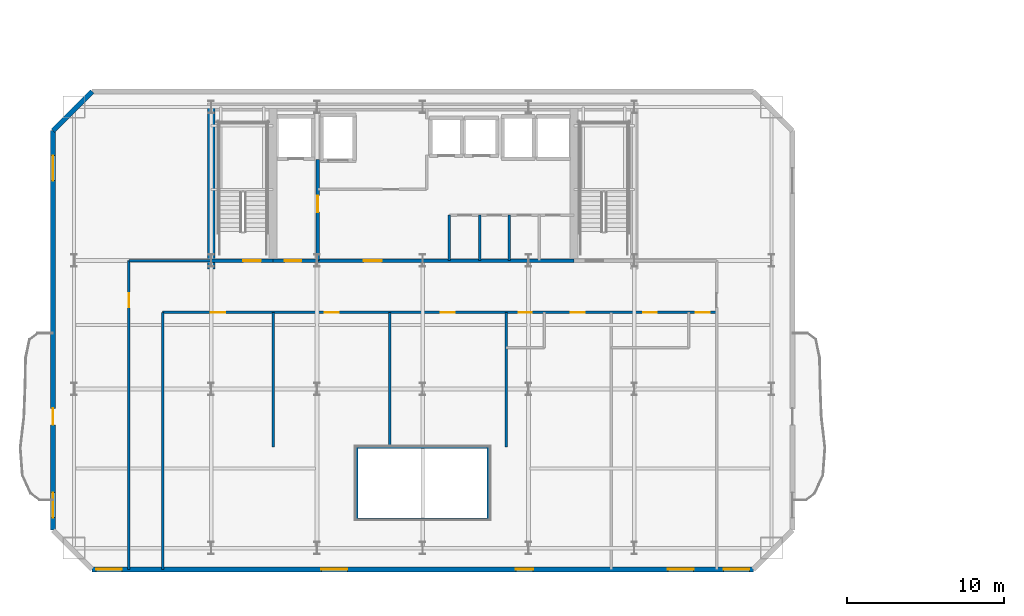
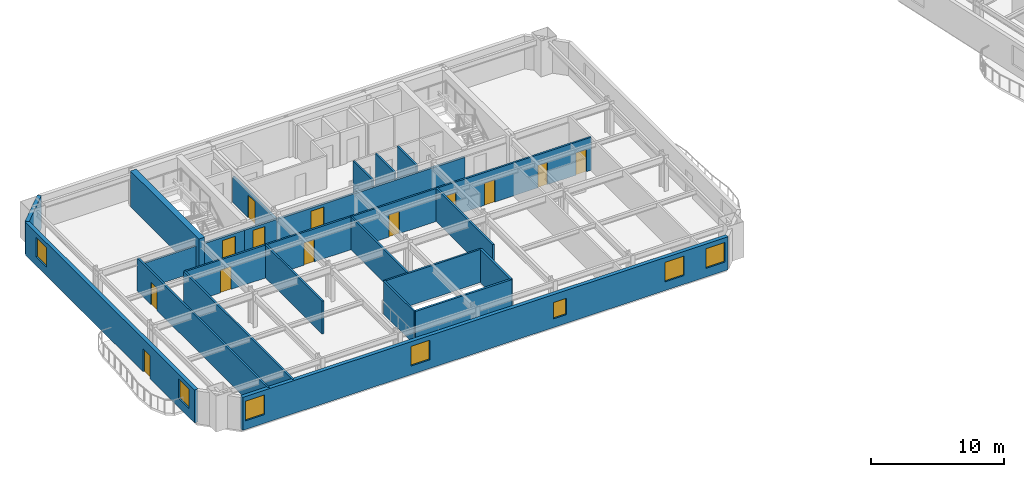
# One storey, part 5 of 13: 22 walls, 13 doors, 7 windows, 20 openings.
"""IFC4 building model written with IfcOpenShell, lengths in metres."""

from ifc_helpers import new_model, si_unit, direction, frame, frame_2d, origin, place, context, subcontext, project, spatial, rectangle, extrude, material, layer, layer_set, type_object, element, fill, save


model = new_model("IFC4")

# Units and contexts
model_context = context("Model", 3, precision=1e-05, world=origin(), true_north=direction((0.0, 1.0)))
body_context = subcontext(model_context, "Body", "Model", "MODEL_VIEW")
ifc_project = project(units=[si_unit("LENGTHUNIT", "METRE"), si_unit("AREAUNIT", "SQUARE_METRE"), si_unit("VOLUMEUNIT", "CUBIC_METRE"), si_unit("PLANEANGLEUNIT", "RADIAN"), si_unit("MASSUNIT", "GRAM", prefix="KILO")], contexts=[model_context])

# Site, building, storey
site_placement = place(None, origin())
site = spatial("IfcSite", under=ifc_project, at=site_placement, CompositionType="ELEMENT")
building_placement = place(site_placement, origin())
building = spatial("IfcBuilding", under=site, at=building_placement, Name="Haevon Station Towers", CompositionType="ELEMENT")
storey_placement = place(building_placement, frame((0.0, 0.0, 96.60009765625)))
storey = spatial("IfcBuildingStorey", under=building, at=storey_placement, Name="L25", CompositionType="ELEMENT", Elevation=96.60009765625)

# Walls
ifc_material_1 = material(Name="Gypsum board on steel stud", Category="steel")
ifc_layer_1 = layer(ifc_material_1, 0.179931640625)
ifc_layer_set_1 = layer_set([ifc_layer_1], Name="Gypsum board on steel stud")
wall_type_1 = type_object("IfcWallType", Name="WL-ACU180", PredefinedType="PARTITIONING", material=ifc_layer_set_1)
wall_1_placement = place(storey_placement, frame((33.300048828125, 21.699951171875, 0.0), z_axis=(0.0, 0.0, 1.0), x_axis=(1.0, 0.0, 0.0)))
element("IfcWall", 1, at=wall_1_placement, inside=storey, type_object=wall_type_1, Name="WL-T1PT-L25-06", PredefinedType="PARTITIONING", context=body_context, shape_type="SweptSolid", body=[
    extrude(rectangle(XDim=8.39990234375, YDim=0.179931640625, at=frame_2d((4.199951171875, 0.0))), origin(), (0.0, 0.0, 1.0), 3.02978515625),
])
wall_2_placement = place(storey_placement, frame((41.699951171875, 21.699951171875, 0.0), z_axis=(0.0, 0.0, 1.0), x_axis=(0.0, 1.0, 0.0)))
element("IfcWall", 2, at=wall_2_placement, inside=storey, type_object=wall_type_1, Name="WL-T1PT-L25-09", PredefinedType="PARTITIONING", context=body_context, shape_type="SweptSolid", body=[
    extrude(rectangle(XDim=4.60009765625, YDim=0.179931640625, at=frame_2d((2.300048828125, 0.0))), origin(), (0.0, 0.0, 1.0), 3.02978515625),
])

# Wall, opening, door
ifc_layer_2 = layer(ifc_material_1, 0.199951171875)
ifc_layer_set_2 = layer_set([ifc_layer_2], Name="Gypsum board on steel stud")
wall_type_2 = type_object("IfcWallType", Name="WL-COR200", PredefinedType="PARTITIONING", material=ifc_layer_set_2)
wall_3_placement = place(storey_placement, frame((24.0, 38.199951171875, 0.0), z_axis=(0.0, 0.0, 1.0), x_axis=(1.0, 0.0, 0.0)))
wall_3 = element("IfcWall", 3, at=wall_3_placement, inside=storey, type_object=wall_type_2, Name="WL-ST-ST1-L25", PredefinedType="PARTITIONING", context=body_context, shape_type="SweptSolid", body=[
    extrude(rectangle(XDim=3.949951171875, YDim=0.199951171875, at=frame_2d((1.97509765625, 0.0))), origin(), (0.0, 0.0, 1.0), 2.3798828125),
])
opening_1_placement = place(wall_3_placement, frame((2.050048828125, 0.0, 0.0)))
opening_1 = element("IfcOpeningElement", 4, at=opening_1_placement, cuts=wall_3, Name="Opening DR-ST-ST1-L25", PredefinedType="OPENING", context=body_context, shape_type="SweptSolid", body=[
    extrude(rectangle(XDim=1.1201171875, YDim=2.10009765625, at=frame_2d((0.56005859375, 1.050048828125))), frame((0.0, 0.10986328125, 0.0), z_axis=(0.0, -1.0, 0.0), x_axis=(1.0, 0.0, 0.0)), (0.0, 0.0, 1.0), 0.219970703125),
])
ifc_material_2 = material(Name="Engineered oak timber", Category="wood")
door_type_1 = type_object("IfcDoorType", Name="DR-ST-1120", OperationType="NOTDEFINED", PredefinedType="DOOR", material=ifc_material_2)
door_1_placement = place(opening_1_placement, origin())
door_1 = element("IfcDoor", 5, at=door_1_placement, inside=storey, type_object=door_type_1, Name="L25 Escape Stair ST1 Fire Door", OperationType="SINGLE_SWING_LEFT", OverallHeight=2.10009765625, OverallWidth=1.1201171875, PredefinedType="DOOR", context=body_context, shape_type="SweptSolid", body=[
    extrude(rectangle(XDim=1.1201171875, YDim=2.10009765625, at=frame_2d((0.56005859375, 1.050048828125))), frame((0.0, 0.02490234375, 0.0), z_axis=(0.0, -1.0, 0.0), x_axis=(1.0, 0.0, 0.0)), (0.0, 0.0, 1.0), 0.050048828125),
])
fill(opening_1, door_1)

wall_4_placement = place(storey_placement, frame((30.800048828125, 38.199951171875, 0.0), z_axis=(0.0, 0.0, 1.0), x_axis=(0.0, 1.0, 0.0)))
wall_4 = element("IfcWall", 6, at=wall_4_placement, inside=storey, type_object=wall_type_2, Name="WL-T1FFL-L25-E", PredefinedType="PARTITIONING", context=body_context, shape_type="SweptSolid", body=[
    extrude(rectangle(XDim=6.449951171875, YDim=0.199951171875, at=frame_2d((3.22509765625, 0.0))), origin(), (0.0, 0.0, 1.0), 2.3798828125),
])
opening_2_placement = place(wall_4_placement, frame((3.10009765625, 0.0, 0.0)))
opening_2 = element("IfcOpeningElement", 7, at=opening_2_placement, cuts=wall_4, Name="Opening DR-T1FFL-L25-E", PredefinedType="OPENING", context=body_context, shape_type="SweptSolid", body=[
    extrude(rectangle(XDim=1.050048828125, YDim=2.10009765625, at=frame_2d((0.52490234375, 1.050048828125))), frame((0.0, 0.10986328125, 0.0), z_axis=(0.0, -1.0, 0.0), x_axis=(1.0, 0.0, 0.0)), (0.0, 0.0, 1.0), 0.219970703125),
])
door_type_2 = type_object("IfcDoorType", Name="DR-FD60-1050", OperationType="NOTDEFINED", PredefinedType="DOOR", material=ifc_material_2)
door_2_placement = place(opening_2_placement, origin())
door_2 = element("IfcDoor", 8, at=door_2_placement, inside=storey, type_object=door_type_2, Name="L25 Tower 1 Firefighting Lift Lobby Door E", OperationType="SINGLE_SWING_LEFT", OverallHeight=2.10009765625, OverallWidth=1.050048828125, PredefinedType="DOOR", context=body_context, shape_type="SweptSolid", body=[
    extrude(rectangle(XDim=1.050048828125, YDim=2.10009765625, at=frame_2d((0.52490234375, 1.050048828125))), frame((0.0, 0.02490234375, 0.0), z_axis=(0.0, -1.0, 0.0), x_axis=(1.0, 0.0, 0.0)), (0.0, 0.0, 1.0), 0.050048828125),
])
fill(opening_2, door_2)

wall_5_placement = place(storey_placement, frame((27.949951171875, 38.199951171875, 0.0), z_axis=(0.0, 0.0, 1.0), x_axis=(1.0, 0.0, 0.0)))
wall_5 = element("IfcWall", 9, at=wall_5_placement, inside=storey, type_object=wall_type_2, Name="WL-T1FFL-L25-S", PredefinedType="PARTITIONING", context=body_context, shape_type="SweptSolid", body=[
    extrude(rectangle(XDim=2.85009765625, YDim=0.199951171875, at=frame_2d((1.425048828125, 0.0))), origin(), (0.0, 0.0, 1.0), 2.3798828125),
])
opening_3_placement = place(wall_5_placement, frame((0.75, 0.0, 0.0)))
opening_3 = element("IfcOpeningElement", 10, at=opening_3_placement, cuts=wall_5, Name="Opening DR-T1FFL-L25-S", PredefinedType="OPENING", context=body_context, shape_type="SweptSolid", body=[
    extrude(rectangle(XDim=1.050048828125, YDim=2.10009765625, at=frame_2d((0.52490234375, 1.050048828125))), frame((0.0, 0.10986328125, 0.0), z_axis=(0.0, -1.0, 0.0), x_axis=(1.0, 0.0, 0.0)), (0.0, 0.0, 1.0), 0.219970703125),
])
door_3_placement = place(opening_3_placement, origin())
door_3 = element("IfcDoor", 11, at=door_3_placement, inside=storey, type_object=door_type_2, Name="L25 Tower 1 Firefighting Lift Lobby Door S", OperationType="SINGLE_SWING_RIGHT", OverallHeight=2.10009765625, OverallWidth=1.050048828125, PredefinedType="DOOR", context=body_context, shape_type="SweptSolid", body=[
    extrude(rectangle(XDim=1.050048828125, YDim=2.10009765625, at=frame_2d((0.52490234375, 1.050048828125))), frame((0.0, 0.02490234375, 0.0), z_axis=(0.0, -1.0, 0.0), x_axis=(1.0, 0.0, 0.0)), (0.0, 0.0, 1.0), 0.050048828125),
])
fill(opening_3, door_3)

wall_6_placement = place(storey_placement, frame((30.800048828125, 38.199951171875, 0.0), z_axis=(0.0, 0.0, 1.0), x_axis=(1.0, 0.0, 0.0)))
wall_6 = element("IfcWall", 12, at=wall_6_placement, inside=storey, type_object=wall_type_2, Name="WL-T1CLB-L25", PredefinedType="PARTITIONING", context=body_context, shape_type="SweptSolid", body=[
    extrude(rectangle(XDim=16.349853515625, YDim=0.199951171875, at=frame_2d((8.1748046875, 0.0))), origin(), (0.0, 0.0, 1.0), 2.3798828125),
])
opening_4_placement = place(wall_6_placement, frame((2.949951171875, 0.0, 0.0)))
opening_4 = element("IfcOpeningElement", 13, at=opening_4_placement, cuts=wall_6, Name="Opening DR-T1CLB-L25-1", PredefinedType="OPENING", context=body_context, shape_type="SweptSolid", body=[
    extrude(rectangle(XDim=1.1201171875, YDim=2.10009765625, at=frame_2d((0.56005859375, 1.050048828125))), frame((0.0, 0.10986328125, 0.0), z_axis=(0.0, -1.0, 0.0), x_axis=(1.0, 0.0, 0.0)), (0.0, 0.0, 1.0), 0.219970703125),
])
door_4_placement = place(opening_4_placement, origin())
door_4 = element("IfcDoor", 14, at=door_4_placement, inside=storey, type_object=door_type_1, Name="L25 Tower 1 Core Lift Lobby Door 1", OperationType="SINGLE_SWING_LEFT", OverallHeight=2.10009765625, OverallWidth=1.1201171875, PredefinedType="DOOR", context=body_context, shape_type="SweptSolid", body=[
    extrude(rectangle(XDim=1.1201171875, YDim=2.10009765625, at=frame_2d((0.56005859375, 1.050048828125))), frame((0.0, 0.02490234375, 0.0), z_axis=(0.0, -1.0, 0.0), x_axis=(1.0, 0.0, 0.0)), (0.0, 0.0, 1.0), 0.050048828125),
])
fill(opening_4, door_4)

# Wall
ifc_material_3 = material(Name="Concrete C60/75", Category="concrete")
ifc_layer_3 = layer(ifc_material_3, 0.5)
ifc_layer_set_3 = layer_set([ifc_layer_3], Name="Concrete C60/75")
wall_type_3 = type_object("IfcWallType", Name="WL-CR500", PredefinedType="SHEAR", material=ifc_layer_set_3)
wall_7_placement = place(storey_placement, frame((24.0, 37.679931640625, 0.0), z_axis=(0.0, 0.0, 1.0), x_axis=(0.0, 1.0, 0.0)))
element("IfcWall", 15, at=wall_7_placement, inside=storey, type_object=wall_type_3, Name="WL-T1CR-L25-W", PredefinedType="SHEAR", context=body_context, shape_type="SweptSolid", body=[
    extrude(rectangle(XDim=10.320068359375, YDim=0.5, at=frame_2d((5.16015625, 0.0))), origin(), (0.0, 0.0, 1.0), 3.2998046875),
])

# Wall, openings, windows
ifc_material_4 = material(Name="Precast concrete C45/55", Category="concrete")
ifc_layer_4 = layer(ifc_material_4, 0.320068359375)
ifc_layer_set_4 = layer_set([ifc_layer_4], Name="Precast concrete C45/55")
wall_type_4 = type_object("IfcWallType", Name="WL-EXT-PIER320", PredefinedType="SOLIDWALL", material=ifc_layer_set_4)
wall_8_placement = place(storey_placement, frame((58.60009765625, 18.5, 0.0), z_axis=(0.0, 0.0, 1.0), x_axis=(-1.0, 0.0, 0.0)))
wall_8 = element("IfcWall", 16, at=wall_8_placement, inside=storey, type_object=wall_type_4, Name="WL-T1-L25-S", PredefinedType="SOLIDWALL", context=body_context, shape_type="SweptSolid", body=[
    extrude(rectangle(XDim=42.2001953125, YDim=0.320068359375, at=frame_2d((21.10009765625, 0.0))), origin(), (0.0, 0.0, 1.0), 3.02978515625),
])
opening_5_placement = place(wall_8_placement, frame((40.300048828125, 0.0, 0.800048828125)))
opening_5 = element("IfcOpeningElement", 17, at=opening_5_placement, cuts=wall_8, Name="Opening WN-P165", PredefinedType="OPENING", context=body_context, shape_type="SweptSolid", body=[
    extrude(rectangle(XDim=1.64990234375, YDim=1.800048828125, at=frame_2d((0.824951171875, 0.89990234375))), frame((0.0, 0.169921875, 0.0), z_axis=(0.0, -1.0, 0.0), x_axis=(1.0, 0.0, 0.0)), (0.0, 0.0, 1.0), 0.340087890625),
])
opening_6_placement = place(wall_8_placement, frame((0.25, 0.0, 0.800048828125)))
opening_6 = element("IfcOpeningElement", 18, at=opening_6_placement, cuts=wall_8, Name="Opening WN-P165", PredefinedType="OPENING", context=body_context, shape_type="SweptSolid", body=[
    extrude(rectangle(XDim=1.64990234375, YDim=1.800048828125, at=frame_2d((0.824951171875, 0.89990234375))), frame((0.0, 0.169921875, 0.0), z_axis=(0.0, -1.0, 0.0), x_axis=(1.0, 0.0, 0.0)), (0.0, 0.0, 1.0), 0.340087890625),
])
opening_7_placement = place(wall_8_placement, frame((25.91650390625, 0.0, 0.800048828125)))
opening_7 = element("IfcOpeningElement", 19, at=opening_7_placement, cuts=wall_8, Name="Opening WN-P165", PredefinedType="OPENING", context=body_context, shape_type="SweptSolid", body=[
    extrude(rectangle(XDim=1.64990234375, YDim=1.800048828125, at=frame_2d((0.824951171875, 0.89990234375))), frame((0.0, 0.169921875, 0.0), z_axis=(0.0, -1.0, 0.0), x_axis=(1.0, 0.0, 0.0)), (0.0, 0.0, 1.0), 0.340087890625),
])
opening_8_placement = place(wall_8_placement, frame((14.060302734375, 0.0, 0.800048828125)))
opening_8 = element("IfcOpeningElement", 20, at=opening_8_placement, cuts=wall_8, Name="Opening WN-COR110", PredefinedType="OPENING", context=body_context, shape_type="SweptSolid", body=[
    extrude(rectangle(XDim=1.10009765625, YDim=1.5, at=frame_2d((0.550048828125, 0.75))), frame((0.0, 0.169921875, 0.0), z_axis=(0.0, -1.0, 0.0), x_axis=(1.0, 0.0, 0.0)), (0.0, 0.0, 1.0), 0.340087890625),
])
opening_9_placement = place(wall_8_placement, frame((3.806640625, 0.0, 0.800048828125)))
opening_9 = element("IfcOpeningElement", 21, at=opening_9_placement, cuts=wall_8, Name="Opening WN-P165", PredefinedType="OPENING", context=body_context, shape_type="SweptSolid", body=[
    extrude(rectangle(XDim=1.64990234375, YDim=1.800048828125, at=frame_2d((0.824951171875, 0.89990234375))), frame((0.0, 0.169921875, 0.0), z_axis=(0.0, -1.0, 0.0), x_axis=(1.0, 0.0, 0.0)), (0.0, 0.0, 1.0), 0.340087890625),
])
ifc_material_5 = material(Name="Low-E triple glazing in thermally broken aluminium", Category="aluminium")
window_type_1 = type_object("IfcWindowType", Name="WN-COR110", PartitioningType="SINGLE_PANEL", PredefinedType="WINDOW", material=ifc_material_5)
window_1_placement = place(opening_8_placement, origin())
window_1 = element("IfcWindow", 22, at=window_1_placement, inside=storey, type_object=window_type_1, Name="WN-T1-L25-S04", OverallHeight=1.5, OverallWidth=1.10009765625, PartitioningType="SINGLE_PANEL", PredefinedType="WINDOW", context=body_context, shape_type="SweptSolid", body=[
    extrude(rectangle(XDim=1.10009765625, YDim=1.5, at=frame_2d((0.550048828125, 0.75))), frame((0.0, 0.030029296875, 0.0), z_axis=(0.0, -1.0, 0.0), x_axis=(1.0, 0.0, 0.0)), (0.0, 0.0, 1.0), 0.06005859375),
])
fill(opening_8, window_1)
window_type_2 = type_object("IfcWindowType", Name="WN-P165", PartitioningType="SINGLE_PANEL", PredefinedType="WINDOW", material=ifc_material_5)
window_2_placement = place(opening_5_placement, origin())
window_2 = element("IfcWindow", 23, at=window_2_placement, inside=storey, type_object=window_type_2, Name="WN-T1-L25-S01", OverallHeight=1.800048828125, OverallWidth=1.64990234375, PartitioningType="SINGLE_PANEL", PredefinedType="WINDOW", context=body_context, shape_type="SweptSolid", body=[
    extrude(rectangle(XDim=1.64990234375, YDim=1.800048828125, at=frame_2d((0.824951171875, 0.89990234375))), frame((0.0, 0.030029296875, 0.0), z_axis=(0.0, -1.0, 0.0), x_axis=(1.0, 0.0, 0.0)), (0.0, 0.0, 1.0), 0.06005859375),
])
fill(opening_5, window_2)
window_3_placement = place(opening_6_placement, origin())
window_3 = element("IfcWindow", 24, at=window_3_placement, inside=storey, type_object=window_type_2, Name="WN-T1-L25-S02", OverallHeight=1.800048828125, OverallWidth=1.64990234375, PartitioningType="SINGLE_PANEL", PredefinedType="WINDOW", context=body_context, shape_type="SweptSolid", body=[
    extrude(rectangle(XDim=1.64990234375, YDim=1.800048828125, at=frame_2d((0.824951171875, 0.89990234375))), frame((0.0, 0.030029296875, 0.0), z_axis=(0.0, -1.0, 0.0), x_axis=(1.0, 0.0, 0.0)), (0.0, 0.0, 1.0), 0.06005859375),
])
fill(opening_6, window_3)
window_4_placement = place(opening_7_placement, origin())
window_4 = element("IfcWindow", 25, at=window_4_placement, inside=storey, type_object=window_type_2, Name="WN-T1-L25-S03", OverallHeight=1.800048828125, OverallWidth=1.64990234375, PartitioningType="SINGLE_PANEL", PredefinedType="WINDOW", context=body_context, shape_type="SweptSolid", body=[
    extrude(rectangle(XDim=1.64990234375, YDim=1.800048828125, at=frame_2d((0.824951171875, 0.89990234375))), frame((0.0, 0.030029296875, 0.0), z_axis=(0.0, -1.0, 0.0), x_axis=(1.0, 0.0, 0.0)), (0.0, 0.0, 1.0), 0.06005859375),
])
fill(opening_7, window_4)
window_5_placement = place(opening_9_placement, origin())
window_5 = element("IfcWindow", 26, at=window_5_placement, inside=storey, type_object=window_type_2, Name="WN-T1-L25-S05", OverallHeight=1.800048828125, OverallWidth=1.64990234375, PartitioningType="SINGLE_PANEL", PredefinedType="WINDOW", context=body_context, shape_type="SweptSolid", body=[
    extrude(rectangle(XDim=1.64990234375, YDim=1.800048828125, at=frame_2d((0.824951171875, 0.89990234375))), frame((0.0, 0.030029296875, 0.0), z_axis=(0.0, -1.0, 0.0), x_axis=(1.0, 0.0, 0.0)), (0.0, 0.0, 1.0), 0.06005859375),
])
fill(opening_9, window_5)

# Wall, openings, door, windows
wall_9_placement = place(storey_placement, frame((13.89990234375, 21.0, 0.0), z_axis=(0.0, 0.0, 1.0), x_axis=(0.0, 1.0, 0.0)))
wall_9 = element("IfcWall", 27, at=wall_9_placement, inside=storey, type_object=wall_type_4, Name="WL-T1-L25-W", PredefinedType="SOLIDWALL", context=body_context, shape_type="SweptSolid", body=[
    extrude(rectangle(XDim=25.5, YDim=0.320068359375, at=frame_2d((12.75, 0.0))), origin(), (0.0, 0.0, 1.0), 3.02978515625),
])
opening_10_placement = place(wall_9_placement, frame((6.72509765625, 0.0, 0.0)))
opening_10 = element("IfcOpeningElement", 28, at=opening_10_placement, cuts=wall_9, Name="Opening DR-T1-SCAL-L25-W", PredefinedType="OPENING", context=body_context, shape_type="SweptSolid", body=[
    extrude(rectangle(XDim=1.050048828125, YDim=2.10009765625, at=frame_2d((0.52490234375, 1.050048828125))), frame((0.0, 0.169921875, 0.0), z_axis=(0.0, -1.0, 0.0), x_axis=(1.0, 0.0, 0.0)), (0.0, 0.0, 1.0), 0.340087890625),
])
opening_11_placement = place(wall_9_placement, frame((0.800048828125, 0.0, 0.800048828125)))
opening_11 = element("IfcOpeningElement", 29, at=opening_11_placement, cuts=wall_9, Name="Opening WN-END160", PredefinedType="OPENING", context=body_context, shape_type="SweptSolid", body=[
    extrude(rectangle(XDim=1.60009765625, YDim=1.800048828125, at=frame_2d((0.800048828125, 0.89990234375))), frame((0.0, 0.169921875, 0.0), z_axis=(0.0, -1.0, 0.0), x_axis=(1.0, 0.0, 0.0)), (0.0, 0.0, 1.0), 0.340087890625),
])
opening_12_placement = place(wall_9_placement, frame((22.3037109375, 0.0, 0.800048828125)))
opening_12 = element("IfcOpeningElement", 30, at=opening_12_placement, cuts=wall_9, Name="Opening WN-END160", PredefinedType="OPENING", context=body_context, shape_type="SweptSolid", body=[
    extrude(rectangle(XDim=1.60009765625, YDim=1.800048828125, at=frame_2d((0.800048828125, 0.89990234375))), frame((0.0, 0.169921875, 0.0), z_axis=(0.0, -1.0, 0.0), x_axis=(1.0, 0.0, 0.0)), (0.0, 0.0, 1.0), 0.340087890625),
])
ifc_material_6 = material(Name="Thermally broken anodised aluminium and laminated safety glass", Category="aluminium")
door_type_3 = type_object("IfcDoorType", Name="DR-BALC-1050", OperationType="NOTDEFINED", PredefinedType="DOOR", material=ifc_material_6)
door_5_placement = place(opening_10_placement, origin())
door_5 = element("IfcDoor", 31, at=door_5_placement, inside=storey, type_object=door_type_3, Name="Tower 1 L25 West Scalloped Balcony Door", OperationType="SINGLE_SWING_LEFT", OverallHeight=2.10009765625, OverallWidth=1.050048828125, PredefinedType="DOOR", context=body_context, shape_type="SweptSolid", body=[
    extrude(rectangle(XDim=1.050048828125, YDim=2.10009765625, at=frame_2d((0.52490234375, 1.050048828125))), frame((0.0, 0.02490234375, 0.0), z_axis=(0.0, -1.0, 0.0), x_axis=(1.0, 0.0, 0.0)), (0.0, 0.0, 1.0), 0.050048828125),
])
fill(opening_10, door_5)
window_type_3 = type_object("IfcWindowType", Name="WN-END160", PartitioningType="SINGLE_PANEL", PredefinedType="WINDOW", material=ifc_material_5)
window_6_placement = place(opening_11_placement, origin())
window_6 = element("IfcWindow", 32, at=window_6_placement, inside=storey, type_object=window_type_3, Name="WN-T1-L25-W01", OverallHeight=1.800048828125, OverallWidth=1.60009765625, PartitioningType="SINGLE_PANEL", PredefinedType="WINDOW", context=body_context, shape_type="SweptSolid", body=[
    extrude(rectangle(XDim=1.60009765625, YDim=1.800048828125, at=frame_2d((0.800048828125, 0.89990234375))), frame((0.0, 0.030029296875, 0.0), z_axis=(0.0, -1.0, 0.0), x_axis=(1.0, 0.0, 0.0)), (0.0, 0.0, 1.0), 0.06005859375),
])
fill(opening_11, window_6)
window_7_placement = place(opening_12_placement, origin())
window_7 = element("IfcWindow", 33, at=window_7_placement, inside=storey, type_object=window_type_3, Name="WN-T1-L25-W02", OverallHeight=1.800048828125, OverallWidth=1.60009765625, PartitioningType="SINGLE_PANEL", PredefinedType="WINDOW", context=body_context, shape_type="SweptSolid", body=[
    extrude(rectangle(XDim=1.60009765625, YDim=1.800048828125, at=frame_2d((0.800048828125, 0.89990234375))), frame((0.0, 0.030029296875, 0.0), z_axis=(0.0, -1.0, 0.0), x_axis=(1.0, 0.0, 0.0)), (0.0, 0.0, 1.0), 0.06005859375),
])
fill(opening_12, window_7)

# Walls
wall_10_placement = place(storey_placement, frame((13.89990234375, 46.5, 0.0), z_axis=(0.0, 0.0, 1.0), x_axis=(0.707106781187, 0.707106781187, 0.0)))
element("IfcWall", 34, at=wall_10_placement, inside=storey, type_object=wall_type_4, Name="WL-T1-L25-NWC", PredefinedType="SOLIDWALL", context=body_context, shape_type="SweptSolid", body=[
    extrude(rectangle(XDim=3.53564453125, YDim=0.320068359375, at=frame_2d((1.767822265625, 0.0))), origin(), (0.0, 0.0, 1.0), 3.02978515625),
])
ifc_layer_5 = layer(ifc_material_1, 0.159912109375)
ifc_layer_set_5 = layer_set([ifc_layer_5], Name="Gypsum board on steel stud")
wall_type_5 = type_object("IfcWallType", Name="WL-PRT160", PredefinedType="PARTITIONING", material=ifc_layer_set_5)
for number, where, z_axis, x_axis, name in (
    (35, (39.199951171875, 38.199951171875, 0.0), (0.0, 0.0, 1.0), (0.0, 1.0, 0.0), "WL-T1CW-L25-04"),
    (36, (41.1298828125, 38.199951171875, 0.0), (0.0, 0.0, 1.0), (0.0, 1.0, 0.0), "WL-T1CW-L25-05"),
    (37, (43.030029296875, 38.199951171875, 0.0), (0.0, 0.0, 1.0), (0.0, 1.0, 0.0), "WL-T1CW-L25-06"),
):
    element("IfcWall", number, at=place(storey_placement, frame(where, z_axis=z_axis, x_axis=x_axis)), inside=storey, type_object=wall_type_5, Name=name, PredefinedType="PARTITIONING", context=body_context, shape_type="SweptSolid", body=[
        extrude(rectangle(XDim=2.900146484375, YDim=0.159912109375, at=frame_2d((1.4501953125, 0.0))), origin(), (0.0, 0.0, 1.0), 3.02978515625),
    ])
wall_11_placement = place(storey_placement, frame((20.89990234375, 18.5, 0.0), z_axis=(0.0, 0.0, 1.0), x_axis=(0.0, 1.0, 0.0)))
element("IfcWall", 38, at=wall_11_placement, inside=storey, type_object=wall_type_5, Name="WL-T1PT-L25-01", PredefinedType="PARTITIONING", context=body_context, shape_type="SweptSolid", body=[
    extrude(rectangle(XDim=16.39990234375, YDim=0.159912109375, at=frame_2d((8.199951171875, 0.0))), origin(), (0.0, 0.0, 1.0), 3.02978515625),
])
wall_12_placement = place(storey_placement, frame((18.75, 38.199951171875, 0.0), z_axis=(0.0, 0.0, 1.0), x_axis=(1.0, 0.0, 0.0)))
element("IfcWall", 39, at=wall_12_placement, inside=storey, type_object=wall_type_5, Name="WL-T1PT-L25-02", PredefinedType="PARTITIONING", context=body_context, shape_type="SweptSolid", body=[
    extrude(rectangle(XDim=5.25, YDim=0.159912109375, at=frame_2d((2.625, 0.0))), origin(), (0.0, 0.0, 1.0), 2.3798828125),
])

# Wall, opening, door
wall_13_placement = place(storey_placement, frame((18.75, 18.5, 0.0), z_axis=(0.0, 0.0, 1.0), x_axis=(0.0, 1.0, 0.0)))
wall_13 = element("IfcWall", 40, at=wall_13_placement, inside=storey, type_object=wall_type_5, Name="WL-T1PT-L25-04", PredefinedType="PARTITIONING", context=body_context, shape_type="SweptSolid", body=[
    extrude(rectangle(XDim=19.699951171875, YDim=0.159912109375, at=frame_2d((9.85009765625, 0.0))), origin(), (0.0, 0.0, 1.0), 3.02978515625),
])
opening_13_placement = place(wall_13_placement, frame((16.719970703125, 0.0, 0.0)))
opening_13 = element("IfcOpeningElement", 41, at=opening_13_placement, cuts=wall_13, Name="Opening DR-WL-T1PT-L25-04-01", PredefinedType="OPENING", context=body_context, shape_type="SweptSolid", body=[
    extrude(rectangle(XDim=0.89990234375, YDim=2.050048828125, at=frame_2d((0.449951171875, 1.02490234375))), frame((0.0, 0.08984375, 0.0), z_axis=(0.0, -1.0, 0.0), x_axis=(1.0, 0.0, 0.0)), (0.0, 0.0, 1.0), 0.179931640625),
])
door_type_4 = type_object("IfcDoorType", Name="DR-INT-900", OperationType="NOTDEFINED", PredefinedType="DOOR", material=ifc_material_2)
door_6_placement = place(opening_13_placement, origin())
door_6 = element("IfcDoor", 42, at=door_6_placement, inside=storey, type_object=door_type_4, Name="L25 Tower 1 Room Door 4-1", OperationType="SINGLE_SWING_LEFT", OverallHeight=2.050048828125, OverallWidth=0.89990234375, PredefinedType="DOOR", context=body_context, shape_type="SweptSolid", body=[
    extrude(rectangle(XDim=0.89990234375, YDim=2.050048828125, at=frame_2d((0.449951171875, 1.02490234375))), frame((0.0, 0.02490234375, 0.0), z_axis=(0.0, -1.0, 0.0), x_axis=(1.0, 0.0, 0.0)), (0.0, 0.0, 1.0), 0.050048828125),
])
fill(opening_13, door_6)

# Walls
wall_14_placement = place(storey_placement, frame((33.300048828125, 26.300048828125, 0.0), z_axis=(0.0, 0.0, 1.0), x_axis=(1.0, 0.0, 0.0)))
element("IfcWall", 43, at=wall_14_placement, inside=storey, type_object=wall_type_5, Name="WL-T1PT-L25-07", PredefinedType="PARTITIONING", context=body_context, shape_type="SweptSolid", body=[
    extrude(rectangle(XDim=8.39990234375, YDim=0.159912109375, at=frame_2d((4.199951171875, 0.0))), origin(), (0.0, 0.0, 1.0), 3.02978515625),
])
wall_15_placement = place(storey_placement, frame((33.300048828125, 21.699951171875, 0.0), z_axis=(0.0, 0.0, 1.0), x_axis=(0.0, 1.0, 0.0)))
element("IfcWall", 44, at=wall_15_placement, inside=storey, type_object=wall_type_5, Name="WL-T1PT-L25-08", PredefinedType="PARTITIONING", context=body_context, shape_type="SweptSolid", body=[
    extrude(rectangle(XDim=4.60009765625, YDim=0.159912109375, at=frame_2d((2.300048828125, 0.0))), origin(), (0.0, 0.0, 1.0), 3.02978515625),
])
for number, where, z_axis, x_axis, name in (
    (45, (27.969970703125, 26.300048828125, 0.0), (0.0, 0.0, 1.0), (0.0, 1.0, 0.0), "WL-T1PT-L25-10"),
    (46, (35.3935546875, 26.300048828125, 0.0), (0.0, 0.0, 1.0), (0.0, 1.0, 0.0), "WL-T1PT-L25-11"),
    (47, (42.81689453125, 26.300048828125, 0.0), (0.0, 0.0, 1.0), (0.0, 1.0, 0.0), "WL-T1PT-L25-13"),
):
    element("IfcWall", number, at=place(storey_placement, frame(where, z_axis=z_axis, x_axis=x_axis)), inside=storey, type_object=wall_type_5, Name=name, PredefinedType="PARTITIONING", context=body_context, shape_type="SweptSolid", body=[
        extrude(rectangle(XDim=8.599853515625, YDim=0.159912109375, at=frame_2d((4.2998046875, 0.0))), origin(), (0.0, 0.0, 1.0), 3.02978515625),
    ])

# Wall, openings, doors
wall_16_placement = place(storey_placement, frame((20.89990234375, 34.89990234375, 0.0), z_axis=(0.0, 0.0, 1.0), x_axis=(1.0, 0.0, 0.0)))
wall_16 = element("IfcWall", 48, at=wall_16_placement, inside=storey, type_object=wall_type_5, Name="WL-T1PT-L25-20", PredefinedType="PARTITIONING", context=body_context, shape_type="SweptSolid", body=[
    extrude(rectangle(XDim=35.35009765625, YDim=0.159912109375, at=frame_2d((17.675048828125, 0.0))), origin(), (0.0, 0.0, 1.0), 3.02978515625),
])
opening_14_placement = place(wall_16_placement, frame((3.06005859375, 0.0, 0.0)))
opening_14 = element("IfcOpeningElement", 49, at=opening_14_placement, cuts=wall_16, Name="Opening DR-WL-T1PT-L25-20-01", PredefinedType="OPENING", context=body_context, shape_type="SweptSolid", body=[
    extrude(rectangle(XDim=0.949951171875, YDim=2.10009765625, at=frame_2d((0.47509765625, 1.050048828125))), frame((0.0, 0.08984375, 0.0), z_axis=(0.0, -1.0, 0.0), x_axis=(1.0, 0.0, 0.0)), (0.0, 0.0, 1.0), 0.179931640625),
])
opening_15_placement = place(wall_16_placement, frame((10.33203125, 0.0, 0.0)))
opening_15 = element("IfcOpeningElement", 50, at=opening_15_placement, cuts=wall_16, Name="Opening DR-WL-T1PT-L25-20-02", PredefinedType="OPENING", context=body_context, shape_type="SweptSolid", body=[
    extrude(rectangle(XDim=0.89990234375, YDim=2.050048828125, at=frame_2d((0.449951171875, 1.02490234375))), frame((0.0, 0.08984375, 0.0), z_axis=(0.0, -1.0, 0.0), x_axis=(1.0, 0.0, 0.0)), (0.0, 0.0, 1.0), 0.179931640625),
])
opening_16_placement = place(wall_16_placement, frame((17.7548828125, 0.0, 0.0)))
opening_16 = element("IfcOpeningElement", 51, at=opening_16_placement, cuts=wall_16, Name="Opening DR-WL-T1PT-L25-20-03", PredefinedType="OPENING", context=body_context, shape_type="SweptSolid", body=[
    extrude(rectangle(XDim=0.89990234375, YDim=2.050048828125, at=frame_2d((0.449951171875, 1.02490234375))), frame((0.0, 0.08984375, 0.0), z_axis=(0.0, -1.0, 0.0), x_axis=(1.0, 0.0, 0.0)), (0.0, 0.0, 1.0), 0.179931640625),
])
opening_17_placement = place(wall_16_placement, frame((22.717041015625, 0.0, 0.0)))
opening_17 = element("IfcOpeningElement", 52, at=opening_17_placement, cuts=wall_16, Name="Opening DR-WL-T1PT-L25-20-04", PredefinedType="OPENING", context=body_context, shape_type="SweptSolid", body=[
    extrude(rectangle(XDim=0.85009765625, YDim=2.050048828125, at=frame_2d((0.425048828125, 1.02490234375))), frame((0.0, 0.08984375, 0.0), z_axis=(0.0, -1.0, 0.0), x_axis=(1.0, 0.0, 0.0)), (0.0, 0.0, 1.0), 0.179931640625),
])
opening_18_placement = place(wall_16_placement, frame((26.050048828125, 0.0, 0.0)))
opening_18 = element("IfcOpeningElement", 53, at=opening_18_placement, cuts=wall_16, Name="Opening DR-WL-T1PT-L25-20-05", PredefinedType="OPENING", context=body_context, shape_type="SweptSolid", body=[
    extrude(rectangle(XDim=0.89990234375, YDim=2.050048828125, at=frame_2d((0.449951171875, 1.02490234375))), frame((0.0, 0.08984375, 0.0), z_axis=(0.0, -1.0, 0.0), x_axis=(1.0, 0.0, 0.0)), (0.0, 0.0, 1.0), 0.179931640625),
])
opening_19_placement = place(wall_16_placement, frame((30.677001953125, 0.0, 0.0)))
opening_19 = element("IfcOpeningElement", 54, at=opening_19_placement, cuts=wall_16, Name="Opening DR-WL-T1PT-L25-20-06", PredefinedType="OPENING", context=body_context, shape_type="SweptSolid", body=[
    extrude(rectangle(XDim=0.85009765625, YDim=2.050048828125, at=frame_2d((0.425048828125, 1.02490234375))), frame((0.0, 0.08984375, 0.0), z_axis=(0.0, -1.0, 0.0), x_axis=(1.0, 0.0, 0.0)), (0.0, 0.0, 1.0), 0.179931640625),
])
opening_20_placement = place(wall_16_placement, frame((34.010009765625, 0.0, 0.0)))
opening_20 = element("IfcOpeningElement", 55, at=opening_20_placement, cuts=wall_16, Name="Opening DR-WL-T1PT-L25-20-07", PredefinedType="OPENING", context=body_context, shape_type="SweptSolid", body=[
    extrude(rectangle(XDim=0.89990234375, YDim=2.050048828125, at=frame_2d((0.449951171875, 1.02490234375))), frame((0.0, 0.08984375, 0.0), z_axis=(0.0, -1.0, 0.0), x_axis=(1.0, 0.0, 0.0)), (0.0, 0.0, 1.0), 0.179931640625),
])
door_type_5 = type_object("IfcDoorType", Name="DR-FD30-850", OperationType="NOTDEFINED", PredefinedType="DOOR", material=ifc_material_2)
door_7_placement = place(opening_17_placement, origin())
door_7 = element("IfcDoor", 56, at=door_7_placement, inside=storey, type_object=door_type_5, Name="L25 Tower 1 Room Door 20-4", OperationType="SINGLE_SWING_RIGHT", OverallHeight=2.050048828125, OverallWidth=0.85009765625, PredefinedType="DOOR", context=body_context, shape_type="SweptSolid", body=[
    extrude(rectangle(XDim=0.85009765625, YDim=2.050048828125, at=frame_2d((0.425048828125, 1.02490234375))), frame((0.0, 0.02490234375, 0.0), z_axis=(0.0, -1.0, 0.0), x_axis=(1.0, 0.0, 0.0)), (0.0, 0.0, 1.0), 0.050048828125),
])
fill(opening_17, door_7)
door_8_placement = place(opening_19_placement, origin())
door_8 = element("IfcDoor", 57, at=door_8_placement, inside=storey, type_object=door_type_5, Name="L25 Tower 1 Room Door 20-6", OperationType="SINGLE_SWING_RIGHT", OverallHeight=2.050048828125, OverallWidth=0.85009765625, PredefinedType="DOOR", context=body_context, shape_type="SweptSolid", body=[
    extrude(rectangle(XDim=0.85009765625, YDim=2.050048828125, at=frame_2d((0.425048828125, 1.02490234375))), frame((0.0, 0.02490234375, 0.0), z_axis=(0.0, -1.0, 0.0), x_axis=(1.0, 0.0, 0.0)), (0.0, 0.0, 1.0), 0.050048828125),
])
fill(opening_19, door_8)
door_type_6 = type_object("IfcDoorType", Name="DR-FD30-950", OperationType="NOTDEFINED", PredefinedType="DOOR", material=ifc_material_2)
door_9_placement = place(opening_14_placement, origin())
door_9 = element("IfcDoor", 58, at=door_9_placement, inside=storey, type_object=door_type_6, Name="L25 Tower 1 Room Door 20-1", OperationType="SINGLE_SWING_LEFT", OverallHeight=2.10009765625, OverallWidth=0.949951171875, PredefinedType="DOOR", context=body_context, shape_type="SweptSolid", body=[
    extrude(rectangle(XDim=0.949951171875, YDim=2.10009765625, at=frame_2d((0.47509765625, 1.050048828125))), frame((0.0, 0.02490234375, 0.0), z_axis=(0.0, -1.0, 0.0), x_axis=(1.0, 0.0, 0.0)), (0.0, 0.0, 1.0), 0.050048828125),
])
fill(opening_14, door_9)
door_10_placement = place(opening_15_placement, origin())
door_10 = element("IfcDoor", 59, at=door_10_placement, inside=storey, type_object=door_type_4, Name="L25 Tower 1 Room Door 20-2", OperationType="SINGLE_SWING_RIGHT", OverallHeight=2.050048828125, OverallWidth=0.89990234375, PredefinedType="DOOR", context=body_context, shape_type="SweptSolid", body=[
    extrude(rectangle(XDim=0.89990234375, YDim=2.050048828125, at=frame_2d((0.449951171875, 1.02490234375))), frame((0.0, 0.02490234375, 0.0), z_axis=(0.0, -1.0, 0.0), x_axis=(1.0, 0.0, 0.0)), (0.0, 0.0, 1.0), 0.050048828125),
])
fill(opening_15, door_10)
door_11_placement = place(opening_16_placement, origin())
door_11 = element("IfcDoor", 60, at=door_11_placement, inside=storey, type_object=door_type_4, Name="L25 Tower 1 Room Door 20-3", OperationType="SINGLE_SWING_LEFT", OverallHeight=2.050048828125, OverallWidth=0.89990234375, PredefinedType="DOOR", context=body_context, shape_type="SweptSolid", body=[
    extrude(rectangle(XDim=0.89990234375, YDim=2.050048828125, at=frame_2d((0.449951171875, 1.02490234375))), frame((0.0, 0.02490234375, 0.0), z_axis=(0.0, -1.0, 0.0), x_axis=(1.0, 0.0, 0.0)), (0.0, 0.0, 1.0), 0.050048828125),
])
fill(opening_16, door_11)
door_12_placement = place(opening_18_placement, origin())
door_12 = element("IfcDoor", 61, at=door_12_placement, inside=storey, type_object=door_type_4, Name="L25 Tower 1 Room Door 20-5", OperationType="SINGLE_SWING_LEFT", OverallHeight=2.050048828125, OverallWidth=0.89990234375, PredefinedType="DOOR", context=body_context, shape_type="SweptSolid", body=[
    extrude(rectangle(XDim=0.89990234375, YDim=2.050048828125, at=frame_2d((0.449951171875, 1.02490234375))), frame((0.0, 0.02490234375, 0.0), z_axis=(0.0, -1.0, 0.0), x_axis=(1.0, 0.0, 0.0)), (0.0, 0.0, 1.0), 0.050048828125),
])
fill(opening_18, door_12)
door_13_placement = place(opening_20_placement, origin())
door_13 = element("IfcDoor", 62, at=door_13_placement, inside=storey, type_object=door_type_4, Name="L25 Tower 1 Room Door 20-7", OperationType="SINGLE_SWING_LEFT", OverallHeight=2.050048828125, OverallWidth=0.89990234375, PredefinedType="DOOR", context=body_context, shape_type="SweptSolid", body=[
    extrude(rectangle(XDim=0.89990234375, YDim=2.050048828125, at=frame_2d((0.449951171875, 1.02490234375))), frame((0.0, 0.02490234375, 0.0), z_axis=(0.0, -1.0, 0.0), x_axis=(1.0, 0.0, 0.0)), (0.0, 0.0, 1.0), 0.050048828125),
])
fill(opening_20, door_13)

save(model, "model.ifc")
